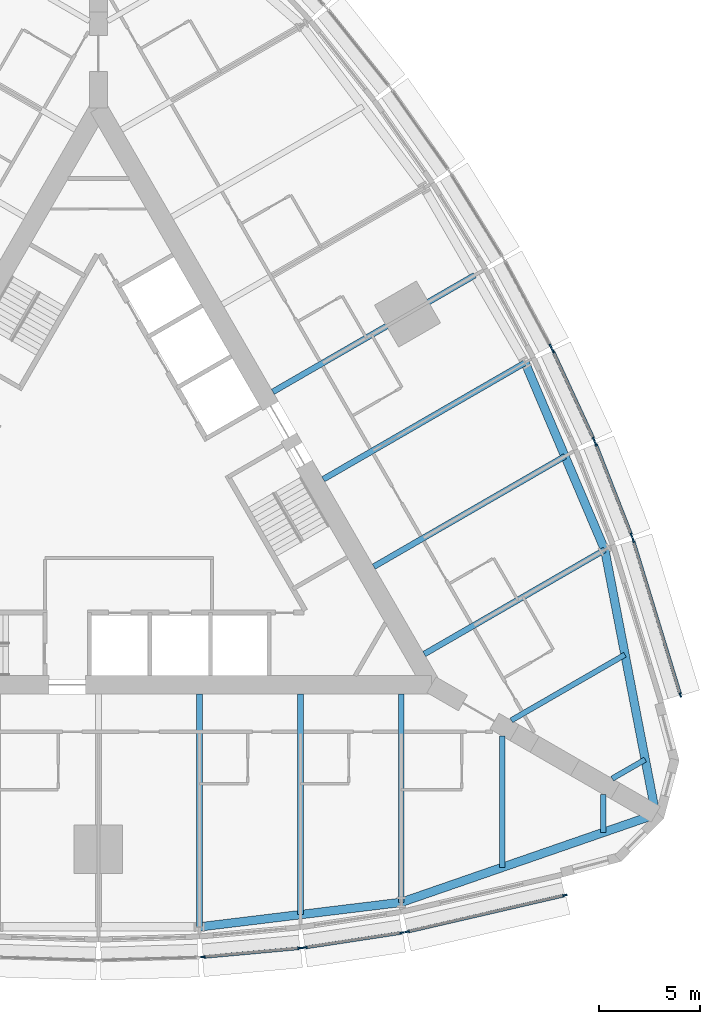
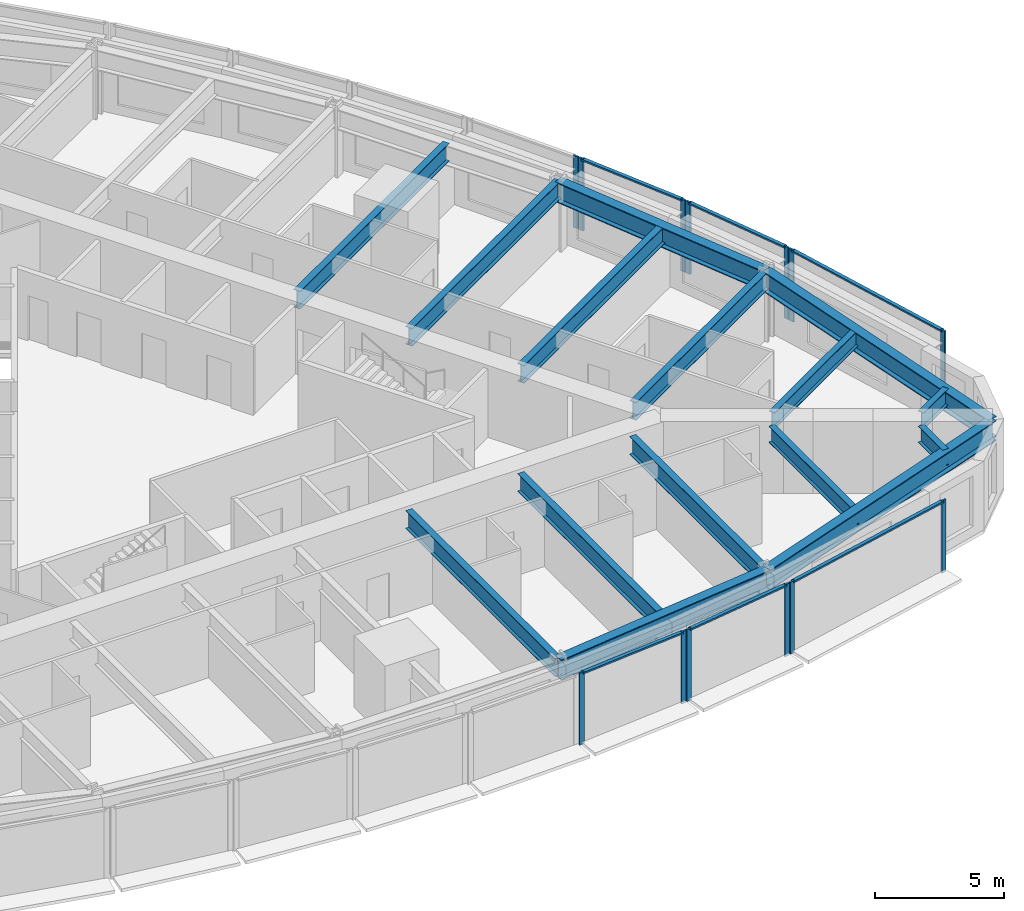
# One storey, part 3 of 14: 19 members, 15 beams, 7 elements without a shape of their own.
"""IFC4 building model written with IfcOpenShell, lengths in metres."""

from ifc_helpers import new_model, si_unit, direction, frame, origin, origin_2d, place, context, subcontext, project, spatial, rectangle, i_section, extrude, material, material_profile, profile_set, type_object, element, aggregate, save


model = new_model("IFC4")

# Units and contexts
model_context = context("Model", 3, precision=1e-05, world=origin(), true_north=direction((0.0, 1.0)))
body_context = subcontext(model_context, "Body", "Model", "MODEL_VIEW")
ifc_project = project(units=[si_unit("LENGTHUNIT", "METRE"), si_unit("AREAUNIT", "SQUARE_METRE"), si_unit("VOLUMEUNIT", "CUBIC_METRE"), si_unit("PLANEANGLEUNIT", "RADIAN"), si_unit("MASSUNIT", "GRAM", prefix="KILO")], contexts=[model_context])

# Site, building, storey
site_placement = place(None, origin())
site = spatial("IfcSite", under=ifc_project, at=site_placement, CompositionType="ELEMENT")
building_placement = place(site_placement, origin())
building = spatial("IfcBuilding", under=site, at=building_placement, Name="Trikona Tower", CompositionType="ELEMENT")
storey_placement = place(building_placement, frame((0.0, 0.0, 86.300048828125)))
storey = spatial("IfcBuildingStorey", under=building, at=storey_placement, Name="L22", CompositionType="ELEMENT", Elevation=86.300048828125)

# Curtain wall, members
ifc_material_1 = material(Name="Aluminium curtain wall system", Category="aluminium")
curtain_wall_type = type_object("IfcCurtainWallType", Name="Curtain wall DS1", PredefinedType="NOTDEFINED", material=ifc_material_1)
curtain_wall_1_placement = place(storey_placement, origin())
curtain_wall_1 = element("IfcCurtainWall", 1, at=curtain_wall_1_placement, inside=storey, type_object=curtain_wall_type, Name="Curtain wall DS1 L22", PredefinedType="NOTDEFINED")
ifc_material_2 = material(Name="Aluminium mullion, pale anodised", Category="aluminium")
ifc_material_profile_1 = material_profile(ifc_material_2, rectangle(XDim=0.080078125, YDim=0.219970703125, at=origin_2d()), Name="MUL-DS1")
ifc_profile_set_1 = profile_set([ifc_material_profile_1], Name="Aluminium mullion, pale anodised")
member_type_1 = type_object("IfcMemberType", Name="Mullion DS1 80x220", PredefinedType="MULLION", material=ifc_profile_set_1)
member_1_placement = place(storey_placement, frame((5.181396484375, -23.007568359375, 0.0), z_axis=(0.0, 0.0, 1.0), x_axis=(-0.090923932737, 0.995857840485, 0.0)))
member_1 = element("IfcMember", 2, at=member_1_placement, type_object=member_type_1, Name="CW-DS1 mullion 1", PredefinedType="MULLION", context=body_context, shape_type="SweptSolid", body=[
    extrude(rectangle(XDim=0.080078125, YDim=0.219970703125, at=origin_2d()), origin(), (0.0, 0.0, 1.0), 3.39990234375),
])
member_2_placement = place(storey_placement, frame((9.982177734375, -22.5693359375, 0.0), z_axis=(0.0, 0.0, 1.0), x_axis=(-0.090923932737, 0.995857840485, 0.0)))
member_2 = element("IfcMember", 3, at=member_2_placement, type_object=member_type_1, Name="CW-DS1 mullion 2", PredefinedType="MULLION", context=body_context, shape_type="SweptSolid", body=[
    extrude(rectangle(XDim=0.080078125, YDim=0.219970703125, at=origin_2d()), origin(), (0.0, 0.0, 1.0), 3.39990234375),
])

curtain_wall_2_placement = place(storey_placement, origin())
curtain_wall_2 = element("IfcCurtainWall", 4, at=curtain_wall_2_placement, inside=storey, type_object=curtain_wall_type, Name="Curtain wall DS1 L22", PredefinedType="NOTDEFINED")
member_3_placement = place(storey_placement, frame((10.234130859375, -22.53857421875, 0.0), z_axis=(0.0, 0.0, 1.0), x_axis=(-0.150437693845, 0.988619492156, 0.0)))
member_3 = element("IfcMember", 5, at=member_3_placement, type_object=member_type_1, Name="CW-DS1 mullion 1", PredefinedType="MULLION", context=body_context, shape_type="SweptSolid", body=[
    extrude(rectangle(XDim=0.080078125, YDim=0.219970703125, at=origin_2d()), origin(), (0.0, 0.0, 1.0), 3.39990234375),
])
member_4_placement = place(storey_placement, frame((15.03662109375, -21.807861328125, 0.0), z_axis=(0.0, 0.0, 1.0), x_axis=(-0.150437693845, 0.988619492156, 0.0)))
member_4 = element("IfcMember", 6, at=member_4_placement, type_object=member_type_1, Name="CW-DS1 mullion 2", PredefinedType="MULLION", context=body_context, shape_type="SweptSolid", body=[
    extrude(rectangle(XDim=0.080078125, YDim=0.219970703125, at=origin_2d()), origin(), (0.0, 0.0, 1.0), 3.39990234375),
])

curtain_wall_3_placement = place(storey_placement, origin())
curtain_wall_3 = element("IfcCurtainWall", 7, at=curtain_wall_3_placement, inside=storey, type_object=curtain_wall_type, Name="Curtain wall DS1 L22", PredefinedType="NOTDEFINED")
member_5_placement = place(storey_placement, frame((15.30029296875, -21.75732421875, 0.0), z_axis=(0.0, 0.0, 1.0), x_axis=(-0.225343288756, 0.974279427173, 0.0)))
member_5 = element("IfcMember", 8, at=member_5_placement, type_object=member_type_1, Name="CW-DS1 mullion 1", PredefinedType="MULLION", context=body_context, shape_type="SweptSolid", body=[
    extrude(rectangle(XDim=0.080078125, YDim=0.219970703125, at=origin_2d()), origin(), (0.0, 0.0, 1.0), 3.39990234375),
])
member_6_placement = place(storey_placement, frame((23.10546875, -19.951904296875, 0.0), z_axis=(0.0, 0.0, 1.0), x_axis=(-0.225343288756, 0.974279427173, 0.0)))
member_6 = element("IfcMember", 9, at=member_6_placement, type_object=member_type_1, Name="CW-DS1 mullion 2", PredefinedType="MULLION", context=body_context, shape_type="SweptSolid", body=[
    extrude(rectangle(XDim=0.080078125, YDim=0.219970703125, at=origin_2d()), origin(), (0.0, 0.0, 1.0), 3.39990234375),
])

curtain_wall_4_placement = place(storey_placement, origin())
curtain_wall_4 = element("IfcCurtainWall", 10, at=curtain_wall_4_placement, inside=storey, type_object=curtain_wall_type, Name="Curtain wall DS1 L22", PredefinedType="NOTDEFINED")
member_7_placement = place(storey_placement, frame((28.83154296875, -10.033935546875, 0.0), z_axis=(0.0, 0.0, 1.0), x_axis=(-0.956423115383, -0.291984287868, 0.0)))
member_7 = element("IfcMember", 11, at=member_7_placement, type_object=member_type_1, Name="CW-DS1 mullion 1", PredefinedType="MULLION", context=body_context, shape_type="SweptSolid", body=[
    extrude(rectangle(XDim=0.080078125, YDim=0.219970703125, at=origin_2d()), origin(), (0.0, 0.0, 1.0), 3.39990234375),
])
member_8_placement = place(storey_placement, frame((26.492431640625, -2.371826171875, 0.0), z_axis=(0.0, 0.0, 1.0), x_axis=(-0.956423115383, -0.291984287868, 0.0)))
member_8 = element("IfcMember", 12, at=member_8_placement, type_object=member_type_1, Name="CW-DS1 mullion 2", PredefinedType="MULLION", context=body_context, shape_type="SweptSolid", body=[
    extrude(rectangle(XDim=0.080078125, YDim=0.219970703125, at=origin_2d()), origin(), (0.0, 0.0, 1.0), 3.39990234375),
])

curtain_wall_5_placement = place(storey_placement, origin())
curtain_wall_5 = element("IfcCurtainWall", 13, at=curtain_wall_5_placement, inside=storey, type_object=curtain_wall_type, Name="Curtain wall DS1 L22", PredefinedType="NOTDEFINED")
member_9_placement = place(storey_placement, frame((26.404296875, -2.1181640625, 0.0), z_axis=(0.0, 0.0, 1.0), x_axis=(-0.931395989443, -0.36400756977, 0.0)))
member_9 = element("IfcMember", 14, at=member_9_placement, type_object=member_type_1, Name="CW-DS1 mullion 1", PredefinedType="MULLION", context=body_context, shape_type="SweptSolid", body=[
    extrude(rectangle(XDim=0.080078125, YDim=0.219970703125, at=origin_2d()), origin(), (0.0, 0.0, 1.0), 3.39990234375),
])
member_10_placement = place(storey_placement, frame((24.63623046875, 2.40625, 0.0), z_axis=(0.0, 0.0, 1.0), x_axis=(-0.931395989443, -0.36400756977, 0.0)))
member_10 = element("IfcMember", 15, at=member_10_placement, type_object=member_type_1, Name="CW-DS1 mullion 2", PredefinedType="MULLION", context=body_context, shape_type="SweptSolid", body=[
    extrude(rectangle(XDim=0.080078125, YDim=0.219970703125, at=origin_2d()), origin(), (0.0, 0.0, 1.0), 3.39990234375),
])

curtain_wall_6_placement = place(storey_placement, origin())
curtain_wall_6 = element("IfcCurtainWall", 16, at=curtain_wall_6_placement, inside=storey, type_object=curtain_wall_type, Name="Curtain wall DS1 L22", PredefinedType="NOTDEFINED")
member_11_placement = place(storey_placement, frame((24.53662109375, 2.6396484375, 0.0), z_axis=(0.0, 0.0, 1.0), x_axis=(-0.907898459992, -0.419190155352, 0.0)))
member_11 = element("IfcMember", 17, at=member_11_placement, type_object=member_type_1, Name="CW-DS1 mullion 1", PredefinedType="MULLION", context=body_context, shape_type="SweptSolid", body=[
    extrude(rectangle(XDim=0.080078125, YDim=0.219970703125, at=origin_2d()), origin(), (0.0, 0.0, 1.0), 3.39990234375),
])
member_12_placement = place(storey_placement, frame((22.515869140625, 7.0166015625, 0.0), z_axis=(0.0, 0.0, 1.0), x_axis=(-0.907898459992, -0.419190155352, 0.0)))
member_12 = element("IfcMember", 18, at=member_12_placement, type_object=member_type_1, Name="CW-DS1 mullion 2", PredefinedType="MULLION", context=body_context, shape_type="SweptSolid", body=[
    extrude(rectangle(XDim=0.080078125, YDim=0.219970703125, at=origin_2d()), origin(), (0.0, 0.0, 1.0), 3.39990234375),
])

# Curtain wall, member
curtain_wall_7_placement = place(storey_placement, origin())
curtain_wall_7 = element("IfcCurtainWall", 19, at=curtain_wall_7_placement, inside=storey, type_object=curtain_wall_type, Name="Curtain wall DS1 L22", PredefinedType="NOTDEFINED")
member_13_placement = place(storey_placement, frame((22.402099609375, 7.244140625, 0.0), z_axis=(0.0, 0.0, 1.0), x_axis=(-0.880843080975, -0.473408350896, 0.0)))
member_13 = element("IfcMember", 20, at=member_13_placement, type_object=member_type_1, Name="CW-DS1 mullion 1", PredefinedType="MULLION", context=body_context, shape_type="SweptSolid", body=[
    extrude(rectangle(XDim=0.080078125, YDim=0.219970703125, at=origin_2d()), origin(), (0.0, 0.0, 1.0), 3.39990234375),
])
aggregate(curtain_wall_7, [member_13])

# Beams
ifc_material_3 = material(Name="Steel ASTM A992 Grade 50", Category="steel")
ifc_material_profile_2 = material_profile(ifc_material_3, i_section(OverallWidth=0.2666015625, OverallDepth=0.76953125, WebThickness=0.015625, FlangeThickness=0.025390625, at=origin_2d()), Name="W30X132")
ifc_profile_set_2 = profile_set([ifc_material_profile_2], Name="Steel ASTM A992 Grade 50")
beam_type_1 = type_object("IfcBeamType", Name="Steel beam W30x132 (wedge)", PredefinedType="BEAM", material=ifc_profile_set_2)
beam_1_placement = place(storey_placement, frame((20.0, -12.066650390625, 2.85009765625), z_axis=(0.0, -1.0, 0.0), x_axis=(1.0, 0.0, 0.0)))
element("IfcBeam", 21, at=beam_1_placement, inside=storey, type_object=beam_type_1, Name="Floor beam L23 F1 u20", PredefinedType="BEAM", context=body_context, shape_type="SweptSolid", body=[
    extrude(i_section(OverallWidth=0.2666015625, OverallDepth=0.76953125, WebThickness=0.015625, FlangeThickness=0.025390625, at=origin_2d()), origin(), (0.0, 0.0, 1.0), 6.5068359375),
])
for number, where, z_axis, x_axis, name in (
    (22, (25.0, -14.953369140625, 2.85009765625), (0.0, -1.0, 0.0), (1.0, 0.0, 0.0), "Floor beam L23 F1 u25"),
    (23, (25.449951171875, -14.173828125, 2.85009765625), (0.866065156741, 0.499931139538, 0.0), (-0.499931139538, 0.866065156741, 0.0), "Floor beam L23 F2 u-25"),
):
    element("IfcBeam", number, at=place(storey_placement, frame(where, z_axis=z_axis, x_axis=x_axis)), inside=storey, type_object=beam_type_1, Name=name, PredefinedType="BEAM", context=body_context, shape_type="SweptSolid", body=[
        extrude(i_section(OverallWidth=0.2666015625, OverallDepth=0.76953125, WebThickness=0.015625, FlangeThickness=0.025390625, at=origin_2d()), origin(), (0.0, 0.0, 1.0), 1.890380859375),
    ])
beam_2_placement = place(storey_placement, frame((20.449951171875, -11.287109375, 2.85009765625), z_axis=(0.866022504693, 0.50000502134, 0.0), x_axis=(-0.50000502134, 0.866022504693, 0.0)))
element("IfcBeam", 24, at=beam_2_placement, inside=storey, type_object=beam_type_1, Name="Floor beam L23 F2 u-20", PredefinedType="BEAM", context=body_context, shape_type="SweptSolid", body=[
    extrude(i_section(OverallWidth=0.2666015625, OverallDepth=0.76953125, WebThickness=0.015625, FlangeThickness=0.025390625, at=origin_2d()), origin(), (0.0, 0.0, 1.0), 6.5068359375),
])
ifc_material_4 = material(Name="Steel ASTM A992 Grade 50", Category="steel")
ifc_material_profile_3 = material_profile(ifc_material_4, i_section(OverallWidth=0.2919921875, OverallDepth=0.845703125, WebThickness=0.015380859375, FlangeThickness=0.0244140625, at=origin_2d()), Name="W33X141")
ifc_profile_set_3 = profile_set([ifc_material_profile_3], Name="Steel ASTM A992 Grade 50")
beam_type_2 = type_object("IfcBeamType", Name="Steel beam W33x141 (radial typ)", PredefinedType="BEAM", material=ifc_profile_set_3)
beam_3_placement = place(storey_placement, frame((5.0, -9.976318359375, 2.81201171875), z_axis=(0.0, -1.0, 0.0), x_axis=(1.0, 0.0, 0.0)))
element("IfcBeam", 25, at=beam_3_placement, inside=storey, type_object=beam_type_2, Name="Floor beam L23 F1 u5", PredefinedType="BEAM", context=body_context, shape_type="SweptSolid", body=[
    extrude(i_section(OverallWidth=0.2919921875, OverallDepth=0.845703125, WebThickness=0.015380859375, FlangeThickness=0.0244140625, at=origin_2d()), origin(), (0.0, 0.0, 1.0), 11.544189453125),
])
beam_4_placement = place(storey_placement, frame((10.0, -9.976318359375, 2.81201171875), z_axis=(0.0, -1.0, 0.0), x_axis=(1.0, 0.0, 0.0)))
element("IfcBeam", 26, at=beam_4_placement, inside=storey, type_object=beam_type_2, Name="Floor beam L23 F1 u10", PredefinedType="BEAM", context=body_context, shape_type="SweptSolid", body=[
    extrude(i_section(OverallWidth=0.2919921875, OverallDepth=0.845703125, WebThickness=0.015380859375, FlangeThickness=0.0244140625, at=origin_2d()), origin(), (0.0, 0.0, 1.0), 10.935302734375),
])
beam_5_placement = place(storey_placement, frame((15.0, -9.976318359375, 2.81201171875), z_axis=(0.0, -1.0, 0.0), x_axis=(1.0, 0.0, 0.0)))
element("IfcBeam", 27, at=beam_5_placement, inside=storey, type_object=beam_type_2, Name="Floor beam L23 F1 u15", PredefinedType="BEAM", context=body_context, shape_type="SweptSolid", body=[
    extrude(i_section(OverallWidth=0.2919921875, OverallDepth=0.845703125, WebThickness=0.015380859375, FlangeThickness=0.0244140625, at=origin_2d()), origin(), (0.0, 0.0, 1.0), 10.32666015625),
])
beam_6_placement = place(storey_placement, frame((16.1396484375, -8.002197265625, 2.81201171875), z_axis=(0.866030471684, 0.499991222037, 0.0), x_axis=(-0.499991222037, 0.866030471684, 0.0)))
element("IfcBeam", 28, at=beam_6_placement, inside=storey, type_object=beam_type_2, Name="Floor beam L23 F2 u-15", PredefinedType="BEAM", context=body_context, shape_type="SweptSolid", body=[
    extrude(i_section(OverallWidth=0.2919921875, OverallDepth=0.845703125, WebThickness=0.015380859375, FlangeThickness=0.0244140625, at=origin_2d()), origin(), (0.0, 0.0, 1.0), 10.326904296875),
])
beam_7_placement = place(storey_placement, frame((13.6396484375, -3.672119140625, 2.81201171875), z_axis=(0.866025348605, 0.500000095573, 0.0), x_axis=(-0.500000095573, 0.866025348605, 0.0)))
element("IfcBeam", 29, at=beam_7_placement, inside=storey, type_object=beam_type_2, Name="Floor beam L23 F2 u-10", PredefinedType="BEAM", context=body_context, shape_type="SweptSolid", body=[
    extrude(i_section(OverallWidth=0.2919921875, OverallDepth=0.845703125, WebThickness=0.015380859375, FlangeThickness=0.0244140625, at=origin_2d()), origin(), (0.0, 0.0, 1.0), 10.935546875),
])
for number, where, z_axis, x_axis, name in (
    (30, (11.1396484375, 0.657958984375, 2.81201171875), (0.866020765707, 0.500008033299, 0.0), (-0.500008033299, 0.866020765707, 0.0), "Floor beam L23 F2 u-5"),
    (31, (8.6396484375, 4.988037109375, 2.81201171875), (0.866020765707, 0.500008033299, 0.0), (-0.500008033299, 0.866020765707, 0.0), "Floor beam L23 F2 u0"),
):
    element("IfcBeam", number, at=place(storey_placement, frame(where, z_axis=z_axis, x_axis=x_axis)), inside=storey, type_object=beam_type_2, Name=name, PredefinedType="BEAM", context=body_context, shape_type="SweptSolid", body=[
        extrude(i_section(OverallWidth=0.2919921875, OverallDepth=0.845703125, WebThickness=0.015380859375, FlangeThickness=0.0244140625, at=origin_2d()), origin(), (0.0, 0.0, 1.0), 11.544189453125),
    ])
ifc_material_5 = material(Name="Steel ASTM A992 Grade 50", Category="steel")
ifc_material_profile_4 = material_profile(ifc_material_5, i_section(OverallWidth=0.424072265625, OverallDepth=0.947509765625, WebThickness=0.02392578125, FlangeThickness=0.042724609375, at=origin_2d()), Name="W36X302")
ifc_profile_set_4 = profile_set([ifc_material_profile_4], Name="Steel ASTM A992 Grade 50")
beam_type_3 = type_object("IfcBeamType", Name="Steel beam W36x302 (spandrel)", PredefinedType="SPANDREL", material=ifc_profile_set_4)
beam_8_placement = place(storey_placement, frame((5.0, -21.5205078125, 2.76123046875), z_axis=(0.99266951126, 0.120860421207, 0.0), x_axis=(-0.120860421207, 0.99266951126, 0.0)))
element("IfcBeam", 32, at=beam_8_placement, inside=storey, type_object=beam_type_3, Name="Spandrel beam L23 F1-4", PredefinedType="SPANDREL", context=body_context, shape_type="SweptSolid", body=[
    extrude(i_section(OverallWidth=0.424072265625, OverallDepth=0.947509765625, WebThickness=0.02392578125, FlangeThickness=0.042724609375, at=origin_2d()), origin(), (0.0, 0.0, 1.0), 10.07373046875),
])
for number, where, z_axis, x_axis, name in (
    (33, (15.0, -20.302978515625, 2.76123046875), (0.945056965739, 0.326905692071, 0.0), (-0.326905692071, 0.945056965739, 0.0), "Spandrel beam L23 F1-5"),
    (34, (27.6103515625, -15.94091796875, 2.76123046875), (-0.189405184036, 0.981899015307, 0.0), (-0.981899015307, -0.189405184036, 0.0), "Spandrel beam L23 F2-1"),
):
    element("IfcBeam", number, at=place(storey_placement, frame(where, z_axis=z_axis, x_axis=x_axis)), inside=storey, type_object=beam_type_3, Name=name, PredefinedType="SPANDREL", context=body_context, shape_type="SweptSolid", body=[
        extrude(i_section(OverallWidth=0.424072265625, OverallDepth=0.947509765625, WebThickness=0.02392578125, FlangeThickness=0.042724609375, at=origin_2d()), origin(), (0.0, 0.0, 1.0), 13.343505859375),
    ])
beam_9_placement = place(storey_placement, frame((25.0830078125, -2.8388671875, 2.76123046875), z_axis=(-0.391683514847, 0.920100007715, 0.0), x_axis=(-0.920100007715, -0.391683514847, 0.0)))
element("IfcBeam", 35, at=beam_9_placement, inside=storey, type_object=beam_type_3, Name="Spandrel beam L23 F2-2", PredefinedType="SPANDREL", context=body_context, shape_type="SweptSolid", body=[
    extrude(i_section(OverallWidth=0.424072265625, OverallDepth=0.947509765625, WebThickness=0.02392578125, FlangeThickness=0.042724609375, at=origin_2d()), origin(), (0.0, 0.0, 1.0), 10.073974609375),
])

# Member
ifc_material_6 = material(Name="Aluminium transom, pale anodised", Category="aluminium")
ifc_material_profile_5 = material_profile(ifc_material_6, rectangle(XDim=0.159912109375, YDim=0.080078125, at=origin_2d()), Name="TRN-DS1")
ifc_profile_set_5 = profile_set([ifc_material_profile_5], Name="Aluminium transom, pale anodised")
member_type_2 = type_object("IfcMemberType", Name="Transom DS1 80x160", PredefinedType="USERDEFINED", material=ifc_profile_set_5)
member_14_placement = place(storey_placement, frame((5.22119140625, -23.00390625, 3.35986328125), z_axis=(0.995855977008, 0.090944340438, 0.0), x_axis=(-0.090944340438, 0.995855977008, 0.0)))
member_14 = element("IfcMember", 36, at=member_14_placement, type_object=member_type_2, Name="CW-DS1 transom 1.1", ObjectType="TRANSOM", PredefinedType="USERDEFINED", context=body_context, shape_type="SweptSolid", body=[
    extrude(rectangle(XDim=0.159912109375, YDim=0.080078125, at=origin_2d()), origin(), (0.0, 0.0, 1.0), 4.74072265625),
])

aggregate(curtain_wall_1, [member_1, member_2, member_14])

member_15_placement = place(storey_placement, frame((10.273681640625, -22.532470703125, 3.35986328125), z_axis=(0.988619663412, 0.150436568413, 0.0), x_axis=(-0.150436568413, 0.988619663412, 0.0)))
member_15 = element("IfcMember", 37, at=member_15_placement, type_object=member_type_2, Name="CW-DS1 transom 1.1", ObjectType="TRANSOM", PredefinedType="USERDEFINED", context=body_context, shape_type="SweptSolid", body=[
    extrude(rectangle(XDim=0.159912109375, YDim=0.080078125, at=origin_2d()), origin(), (0.0, 0.0, 1.0), 4.77783203125),
])

aggregate(curtain_wall_2, [member_3, member_4, member_15])

member_16_placement = place(storey_placement, frame((15.33935546875, -21.748291015625, 3.35986328125), z_axis=(0.974275371842, 0.225360821398, 0.0), x_axis=(-0.225360821398, 0.974275371842, 0.0)))
member_16 = element("IfcMember", 38, at=member_16_placement, type_object=member_type_2, Name="CW-DS1 transom 1.1", ObjectType="TRANSOM", PredefinedType="USERDEFINED", context=body_context, shape_type="SweptSolid", body=[
    extrude(rectangle(XDim=0.159912109375, YDim=0.080078125, at=origin_2d()), origin(), (0.0, 0.0, 1.0), 7.93115234375),
])

aggregate(curtain_wall_3, [member_5, member_6, member_16])

member_17_placement = place(storey_placement, frame((28.81982421875, -9.99560546875, 3.35986328125), z_axis=(-0.291967490203, 0.956428243343, 0.0), x_axis=(-0.956428243343, -0.291967490203, 0.0)))
member_17 = element("IfcMember", 39, at=member_17_placement, type_object=member_type_2, Name="CW-DS1 transom 1.1", ObjectType="TRANSOM", PredefinedType="USERDEFINED", context=body_context, shape_type="SweptSolid", body=[
    extrude(rectangle(XDim=0.159912109375, YDim=0.080078125, at=origin_2d()), origin(), (0.0, 0.0, 1.0), 7.93115234375),
])

aggregate(curtain_wall_4, [member_7, member_8, member_17])

member_18_placement = place(storey_placement, frame((26.389892578125, -2.080810546875, 3.35986328125), z_axis=(-0.364048647668, 0.931379934362, 0.0), x_axis=(-0.931379934362, -0.364048647668, 0.0)))
member_18 = element("IfcMember", 40, at=member_18_placement, type_object=member_type_2, Name="CW-DS1 transom 1.1", ObjectType="TRANSOM", PredefinedType="USERDEFINED", context=body_context, shape_type="SweptSolid", body=[
    extrude(rectangle(XDim=0.159912109375, YDim=0.080078125, at=origin_2d()), origin(), (0.0, 0.0, 1.0), 4.777587890625),
])

aggregate(curtain_wall_5, [member_9, member_10, member_18])

member_19_placement = place(storey_placement, frame((24.52001953125, 2.676025390625, 3.35986328125), z_axis=(-0.419188800665, 0.90789908547, 0.0), x_axis=(-0.90789908547, -0.419188800665, 0.0)))
member_19 = element("IfcMember", 41, at=member_19_placement, type_object=member_type_2, Name="CW-DS1 transom 1.1", ObjectType="TRANSOM", PredefinedType="USERDEFINED", context=body_context, shape_type="SweptSolid", body=[
    extrude(rectangle(XDim=0.159912109375, YDim=0.080078125, at=origin_2d()), origin(), (0.0, 0.0, 1.0), 4.74072265625),
])

aggregate(curtain_wall_6, [member_11, member_12, member_19])

save(model, "model.ifc")
